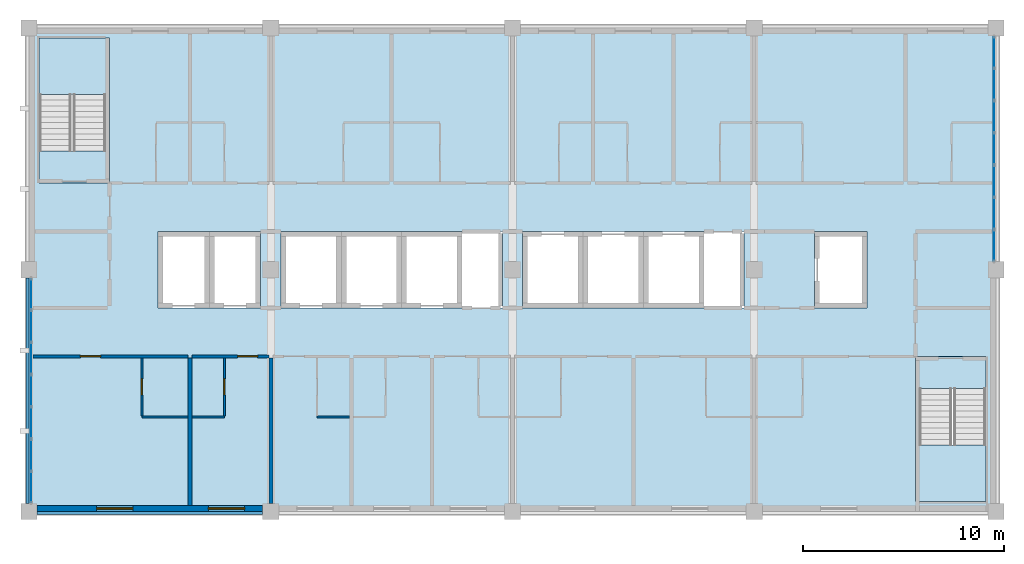
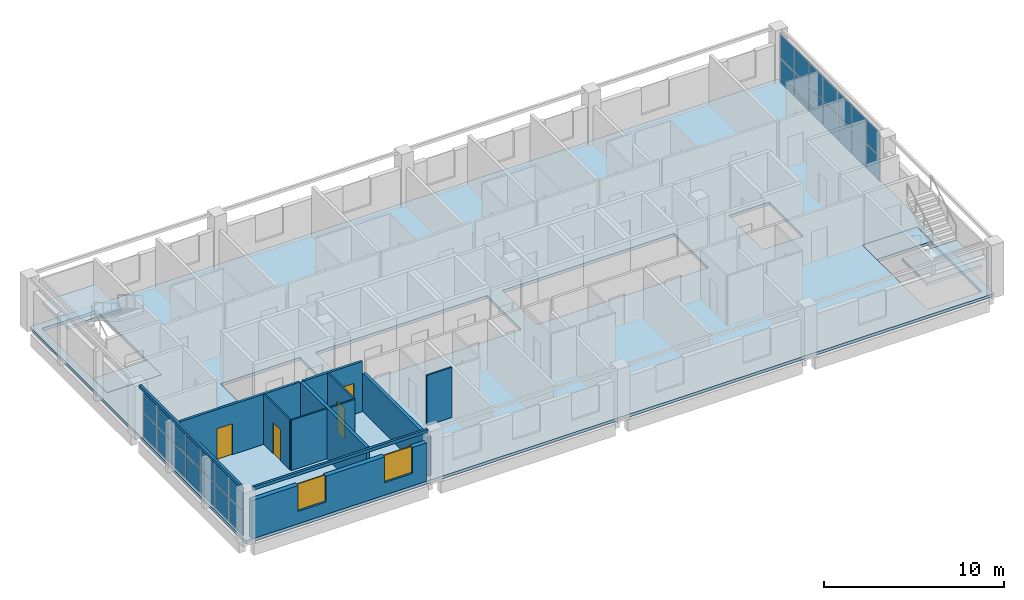
# One storey, part 5 of 11: 28 plates, 12 walls, 5 slabs, 4 doors, 2 windows, 6 openings, 4 elements without a shape of their own.
"""IFC4 building model written with IfcOpenShell, lengths in metres."""

from ifc_helpers import new_model, si_unit, direction, frame, frame_2d, origin, origin_2d, place, context, subcontext, project, spatial, polyline, rectangle, outline, extrude, material, layer, layer_set, type_object, element, fill, aggregate, save


model = new_model("IFC4")

# Units and contexts
model_context = context("Model", 3, precision=1e-05, world=origin(), true_north=direction((0.0, 1.0)))
body_context = subcontext(model_context, "Body", "Model", "MODEL_VIEW")
ifc_project = project(units=[si_unit("LENGTHUNIT", "METRE"), si_unit("AREAUNIT", "SQUARE_METRE"), si_unit("VOLUMEUNIT", "CUBIC_METRE"), si_unit("PLANEANGLEUNIT", "RADIAN"), si_unit("MASSUNIT", "GRAM", prefix="KILO")], contexts=[model_context])

# Site, building, storey
site_placement = place(None, origin())
site = spatial("IfcSite", under=ifc_project, at=site_placement, CompositionType="ELEMENT")
building_placement = place(site_placement, origin())
building = spatial("IfcBuilding", under=site, at=building_placement, Name="Lilac Gate Convention Centre", CompositionType="ELEMENT")
storey_placement = place(building_placement, frame((0.0, 0.0, 46.199951171875)))
storey = spatial("IfcBuildingStorey", under=building, at=storey_placement, Name="L11", CompositionType="ELEMENT", Elevation=46.199951171875)

# Curtain wall, plates
ifc_material_1 = material(Name="Aluminium framed double glazing", Category="aluminium")
ifc_layer_1 = layer(ifc_material_1, 0.199951171875)
ifc_layer_set_1 = layer_set([ifc_layer_1], Name="Aluminium framed double glazing")
curtain_wall_type = type_object("IfcCurtainWallType", Name="Unitised curtain wall 1500", PredefinedType="NOTDEFINED", material=ifc_layer_set_1)
curtain_wall_1_placement = place(storey_placement, origin())
curtain_wall_1 = element("IfcCurtainWall", 1, at=curtain_wall_1_placement, inside=storey, type_object=curtain_wall_type, Name="Curtain wall E L11 2", PredefinedType="NOTDEFINED")
ifc_material_2 = material(Name="Double glazed unit low emissivity")
ifc_layer_2 = layer(ifc_material_2, 0.028076171875)
ifc_layer_set_2 = layer_set([ifc_layer_2], Name="Double glazed unit low emissivity")
plate_type_1 = type_object("IfcPlateType", Name="Curtain wall glass panel 28", PredefinedType="CURTAIN_PANEL", material=ifc_layer_set_2)
plate_1_placement = place(storey_placement, frame((89.89990234375, 235.21484375, 1.72998046875), z_axis=(0.0, 0.0, 1.0), x_axis=(0.0, 1.0, 0.0)))
plate_1 = element("IfcPlate", 2, at=plate_1_placement, type_object=plate_type_1, Name="CW panel 1.2", PredefinedType="CURTAIN_PANEL", context=body_context, shape_type="SweptSolid", body=[
    extrude(rectangle(XDim=1.510009765625, YDim=0.028076171875, at=origin_2d()), origin(), (0.0, 0.0, 1.0), 1.610107421875),
])
plate_2_placement = place(storey_placement, frame((89.89990234375, 236.800048828125, 1.72998046875), z_axis=(0.0, 0.0, 1.0), x_axis=(0.0, 1.0, 0.0)))
plate_2 = element("IfcPlate", 3, at=plate_2_placement, type_object=plate_type_1, Name="CW panel 2.2", PredefinedType="CURTAIN_PANEL", context=body_context, shape_type="SweptSolid", body=[
    extrude(rectangle(XDim=1.5400390625, YDim=0.028076171875, at=origin_2d()), origin(), (0.0, 0.0, 1.0), 1.610107421875),
])
plate_3_placement = place(storey_placement, frame((89.89990234375, 238.39990234375, 1.72998046875), z_axis=(0.0, 0.0, 1.0), x_axis=(0.0, 1.0, 0.0)))
plate_3 = element("IfcPlate", 4, at=plate_3_placement, type_object=plate_type_1, Name="CW panel 3.2", PredefinedType="CURTAIN_PANEL", context=body_context, shape_type="SweptSolid", body=[
    extrude(rectangle(XDim=1.5400390625, YDim=0.028076171875, at=origin_2d()), origin(), (0.0, 0.0, 1.0), 1.610107421875),
])
plate_4_placement = place(storey_placement, frame((89.89990234375, 240.0, 1.72998046875), z_axis=(0.0, 0.0, 1.0), x_axis=(0.0, 1.0, 0.0)))
plate_4 = element("IfcPlate", 5, at=plate_4_placement, type_object=plate_type_1, Name="CW panel 4.2", PredefinedType="CURTAIN_PANEL", context=body_context, shape_type="SweptSolid", body=[
    extrude(rectangle(XDim=1.5400390625, YDim=0.028076171875, at=origin_2d()), origin(), (0.0, 0.0, 1.0), 1.610107421875),
])
plate_5_placement = place(storey_placement, frame((89.89990234375, 241.60009765625, 1.72998046875), z_axis=(0.0, 0.0, 1.0), x_axis=(0.0, 1.0, 0.0)))
plate_5 = element("IfcPlate", 6, at=plate_5_placement, type_object=plate_type_1, Name="CW panel 5.2", PredefinedType="CURTAIN_PANEL", context=body_context, shape_type="SweptSolid", body=[
    extrude(rectangle(XDim=1.5400390625, YDim=0.028076171875, at=origin_2d()), origin(), (0.0, 0.0, 1.0), 1.610107421875),
])
plate_6_placement = place(storey_placement, frame((89.89990234375, 243.199951171875, 1.72998046875), z_axis=(0.0, 0.0, 1.0), x_axis=(0.0, 1.0, 0.0)))
plate_6 = element("IfcPlate", 7, at=plate_6_placement, type_object=plate_type_1, Name="CW panel 6.2", PredefinedType="CURTAIN_PANEL", context=body_context, shape_type="SweptSolid", body=[
    extrude(rectangle(XDim=1.5400390625, YDim=0.028076171875, at=origin_2d()), origin(), (0.0, 0.0, 1.0), 1.610107421875),
])
plate_7_placement = place(storey_placement, frame((89.89990234375, 244.78515625, 1.72998046875), z_axis=(0.0, 0.0, 1.0), x_axis=(0.0, 1.0, 0.0)))
plate_7 = element("IfcPlate", 8, at=plate_7_placement, type_object=plate_type_1, Name="CW panel 7.2", PredefinedType="CURTAIN_PANEL", context=body_context, shape_type="SweptSolid", body=[
    extrude(rectangle(XDim=1.510009765625, YDim=0.028076171875, at=origin_2d()), origin(), (0.0, 0.0, 1.0), 1.610107421875),
])

curtain_wall_2_placement = place(storey_placement, origin())
curtain_wall_2 = element("IfcCurtainWall", 9, at=curtain_wall_2_placement, inside=storey, type_object=curtain_wall_type, Name="Curtain wall W L11 2", PredefinedType="NOTDEFINED")
plate_8_placement = place(storey_placement, frame((42.10009765625, 232.78515625, 1.72998046875), z_axis=(0.0, 0.0, 1.0), x_axis=(0.0, -1.0, 0.0)))
plate_8 = element("IfcPlate", 10, at=plate_8_placement, type_object=plate_type_1, Name="CW panel 1.2", PredefinedType="CURTAIN_PANEL", context=body_context, shape_type="SweptSolid", body=[
    extrude(rectangle(XDim=1.510009765625, YDim=0.028076171875, at=origin_2d()), origin(), (0.0, 0.0, 1.0), 1.610107421875),
])
plate_9_placement = place(storey_placement, frame((42.10009765625, 231.199951171875, 1.72998046875), z_axis=(0.0, 0.0, 1.0), x_axis=(0.0, -1.0, 0.0)))
plate_9 = element("IfcPlate", 11, at=plate_9_placement, type_object=plate_type_1, Name="CW panel 2.2", PredefinedType="CURTAIN_PANEL", context=body_context, shape_type="SweptSolid", body=[
    extrude(rectangle(XDim=1.5400390625, YDim=0.028076171875, at=origin_2d()), origin(), (0.0, 0.0, 1.0), 1.610107421875),
])
plate_10_placement = place(storey_placement, frame((42.10009765625, 229.60009765625, 1.72998046875), z_axis=(0.0, 0.0, 1.0), x_axis=(0.0, -1.0, 0.0)))
plate_10 = element("IfcPlate", 12, at=plate_10_placement, type_object=plate_type_1, Name="CW panel 3.2", PredefinedType="CURTAIN_PANEL", context=body_context, shape_type="SweptSolid", body=[
    extrude(rectangle(XDim=1.5400390625, YDim=0.028076171875, at=origin_2d()), origin(), (0.0, 0.0, 1.0), 1.610107421875),
])
plate_11_placement = place(storey_placement, frame((42.10009765625, 228.0, 1.72998046875), z_axis=(0.0, 0.0, 1.0), x_axis=(0.0, -1.0, 0.0)))
plate_11 = element("IfcPlate", 13, at=plate_11_placement, type_object=plate_type_1, Name="CW panel 4.2", PredefinedType="CURTAIN_PANEL", context=body_context, shape_type="SweptSolid", body=[
    extrude(rectangle(XDim=1.5400390625, YDim=0.028076171875, at=origin_2d()), origin(), (0.0, 0.0, 1.0), 1.610107421875),
])
plate_12_placement = place(storey_placement, frame((42.10009765625, 226.39990234375, 1.72998046875), z_axis=(0.0, 0.0, 1.0), x_axis=(0.0, -1.0, 0.0)))
plate_12 = element("IfcPlate", 14, at=plate_12_placement, type_object=plate_type_1, Name="CW panel 5.2", PredefinedType="CURTAIN_PANEL", context=body_context, shape_type="SweptSolid", body=[
    extrude(rectangle(XDim=1.5400390625, YDim=0.028076171875, at=origin_2d()), origin(), (0.0, 0.0, 1.0), 1.610107421875),
])
plate_13_placement = place(storey_placement, frame((42.10009765625, 224.800048828125, 1.72998046875), z_axis=(0.0, 0.0, 1.0), x_axis=(0.0, -1.0, 0.0)))
plate_13 = element("IfcPlate", 15, at=plate_13_placement, type_object=plate_type_1, Name="CW panel 6.2", PredefinedType="CURTAIN_PANEL", context=body_context, shape_type="SweptSolid", body=[
    extrude(rectangle(XDim=1.5400390625, YDim=0.028076171875, at=origin_2d()), origin(), (0.0, 0.0, 1.0), 1.610107421875),
])
plate_14_placement = place(storey_placement, frame((42.10009765625, 223.21484375, 1.72998046875), z_axis=(0.0, 0.0, 1.0), x_axis=(0.0, -1.0, 0.0)))
plate_14 = element("IfcPlate", 16, at=plate_14_placement, type_object=plate_type_1, Name="CW panel 7.2", PredefinedType="CURTAIN_PANEL", context=body_context, shape_type="SweptSolid", body=[
    extrude(rectangle(XDim=1.510009765625, YDim=0.028076171875, at=origin_2d()), origin(), (0.0, 0.0, 1.0), 1.610107421875),
])

# Plate
ifc_material_3 = material(Name="Insulated aluminium spandrel panel", Category="aluminium")
ifc_layer_3 = layer(ifc_material_3, 0.028076171875)
ifc_layer_set_3 = layer_set([ifc_layer_3], Name="Insulated aluminium spandrel panel")
plate_type_2 = type_object("IfcPlateType", Name="Curtain wall spandrel panel 28", PredefinedType="CURTAIN_PANEL", material=ifc_layer_set_3)
plate_15_placement = place(storey_placement, frame((89.89990234375, 235.21484375, 0.06005859375), z_axis=(0.0, 0.0, 1.0), x_axis=(0.0, 1.0, 0.0)))
plate_15 = element("IfcPlate", 17, at=plate_15_placement, type_object=plate_type_2, Name="CW spandrel 1.1", PredefinedType="CURTAIN_PANEL", context=body_context, shape_type="SweptSolid", body=[
    extrude(rectangle(XDim=1.510009765625, YDim=0.028076171875, at=origin_2d()), origin(), (0.0, 0.0, 1.0), 1.610107421875),
])

plate_16_placement = place(storey_placement, frame((89.89990234375, 236.800048828125, 0.06005859375), z_axis=(0.0, 0.0, 1.0), x_axis=(0.0, 1.0, 0.0)))
plate_16 = element("IfcPlate", 18, at=plate_16_placement, type_object=plate_type_2, Name="CW spandrel 2.1", PredefinedType="CURTAIN_PANEL", context=body_context, shape_type="SweptSolid", body=[
    extrude(rectangle(XDim=1.5400390625, YDim=0.028076171875, at=origin_2d()), origin(), (0.0, 0.0, 1.0), 1.610107421875),
])

plate_17_placement = place(storey_placement, frame((89.89990234375, 238.39990234375, 0.06005859375), z_axis=(0.0, 0.0, 1.0), x_axis=(0.0, 1.0, 0.0)))
plate_17 = element("IfcPlate", 19, at=plate_17_placement, type_object=plate_type_2, Name="CW spandrel 3.1", PredefinedType="CURTAIN_PANEL", context=body_context, shape_type="SweptSolid", body=[
    extrude(rectangle(XDim=1.5400390625, YDim=0.028076171875, at=origin_2d()), origin(), (0.0, 0.0, 1.0), 1.610107421875),
])

plate_18_placement = place(storey_placement, frame((89.89990234375, 240.0, 0.06005859375), z_axis=(0.0, 0.0, 1.0), x_axis=(0.0, 1.0, 0.0)))
plate_18 = element("IfcPlate", 20, at=plate_18_placement, type_object=plate_type_2, Name="CW spandrel 4.1", PredefinedType="CURTAIN_PANEL", context=body_context, shape_type="SweptSolid", body=[
    extrude(rectangle(XDim=1.5400390625, YDim=0.028076171875, at=origin_2d()), origin(), (0.0, 0.0, 1.0), 1.610107421875),
])

plate_19_placement = place(storey_placement, frame((89.89990234375, 241.60009765625, 0.06005859375), z_axis=(0.0, 0.0, 1.0), x_axis=(0.0, 1.0, 0.0)))
plate_19 = element("IfcPlate", 21, at=plate_19_placement, type_object=plate_type_2, Name="CW spandrel 5.1", PredefinedType="CURTAIN_PANEL", context=body_context, shape_type="SweptSolid", body=[
    extrude(rectangle(XDim=1.5400390625, YDim=0.028076171875, at=origin_2d()), origin(), (0.0, 0.0, 1.0), 1.610107421875),
])

plate_20_placement = place(storey_placement, frame((89.89990234375, 243.199951171875, 0.06005859375), z_axis=(0.0, 0.0, 1.0), x_axis=(0.0, 1.0, 0.0)))
plate_20 = element("IfcPlate", 22, at=plate_20_placement, type_object=plate_type_2, Name="CW spandrel 6.1", PredefinedType="CURTAIN_PANEL", context=body_context, shape_type="SweptSolid", body=[
    extrude(rectangle(XDim=1.5400390625, YDim=0.028076171875, at=origin_2d()), origin(), (0.0, 0.0, 1.0), 1.610107421875),
])

plate_21_placement = place(storey_placement, frame((89.89990234375, 244.78515625, 0.06005859375), z_axis=(0.0, 0.0, 1.0), x_axis=(0.0, 1.0, 0.0)))
plate_21 = element("IfcPlate", 23, at=plate_21_placement, type_object=plate_type_2, Name="CW spandrel 7.1", PredefinedType="CURTAIN_PANEL", context=body_context, shape_type="SweptSolid", body=[
    extrude(rectangle(XDim=1.510009765625, YDim=0.028076171875, at=origin_2d()), origin(), (0.0, 0.0, 1.0), 1.610107421875),
])

aggregate(curtain_wall_1, [plate_15, plate_1, plate_16, plate_2, plate_17, plate_3, plate_18, plate_4, plate_19, plate_5, plate_20, plate_6, plate_21, plate_7])

plate_22_placement = place(storey_placement, frame((42.10009765625, 232.78515625, 0.06005859375), z_axis=(0.0, 0.0, 1.0), x_axis=(0.0, -1.0, 0.0)))
plate_22 = element("IfcPlate", 24, at=plate_22_placement, type_object=plate_type_2, Name="CW spandrel 1.1", PredefinedType="CURTAIN_PANEL", context=body_context, shape_type="SweptSolid", body=[
    extrude(rectangle(XDim=1.510009765625, YDim=0.028076171875, at=origin_2d()), origin(), (0.0, 0.0, 1.0), 1.610107421875),
])

plate_23_placement = place(storey_placement, frame((42.10009765625, 231.199951171875, 0.06005859375), z_axis=(0.0, 0.0, 1.0), x_axis=(0.0, -1.0, 0.0)))
plate_23 = element("IfcPlate", 25, at=plate_23_placement, type_object=plate_type_2, Name="CW spandrel 2.1", PredefinedType="CURTAIN_PANEL", context=body_context, shape_type="SweptSolid", body=[
    extrude(rectangle(XDim=1.5400390625, YDim=0.028076171875, at=origin_2d()), origin(), (0.0, 0.0, 1.0), 1.610107421875),
])

plate_24_placement = place(storey_placement, frame((42.10009765625, 229.60009765625, 0.06005859375), z_axis=(0.0, 0.0, 1.0), x_axis=(0.0, -1.0, 0.0)))
plate_24 = element("IfcPlate", 26, at=plate_24_placement, type_object=plate_type_2, Name="CW spandrel 3.1", PredefinedType="CURTAIN_PANEL", context=body_context, shape_type="SweptSolid", body=[
    extrude(rectangle(XDim=1.5400390625, YDim=0.028076171875, at=origin_2d()), origin(), (0.0, 0.0, 1.0), 1.610107421875),
])

plate_25_placement = place(storey_placement, frame((42.10009765625, 228.0, 0.06005859375), z_axis=(0.0, 0.0, 1.0), x_axis=(0.0, -1.0, 0.0)))
plate_25 = element("IfcPlate", 27, at=plate_25_placement, type_object=plate_type_2, Name="CW spandrel 4.1", PredefinedType="CURTAIN_PANEL", context=body_context, shape_type="SweptSolid", body=[
    extrude(rectangle(XDim=1.5400390625, YDim=0.028076171875, at=origin_2d()), origin(), (0.0, 0.0, 1.0), 1.610107421875),
])

plate_26_placement = place(storey_placement, frame((42.10009765625, 226.39990234375, 0.06005859375), z_axis=(0.0, 0.0, 1.0), x_axis=(0.0, -1.0, 0.0)))
plate_26 = element("IfcPlate", 28, at=plate_26_placement, type_object=plate_type_2, Name="CW spandrel 5.1", PredefinedType="CURTAIN_PANEL", context=body_context, shape_type="SweptSolid", body=[
    extrude(rectangle(XDim=1.5400390625, YDim=0.028076171875, at=origin_2d()), origin(), (0.0, 0.0, 1.0), 1.610107421875),
])

plate_27_placement = place(storey_placement, frame((42.10009765625, 224.800048828125, 0.06005859375), z_axis=(0.0, 0.0, 1.0), x_axis=(0.0, -1.0, 0.0)))
plate_27 = element("IfcPlate", 29, at=plate_27_placement, type_object=plate_type_2, Name="CW spandrel 6.1", PredefinedType="CURTAIN_PANEL", context=body_context, shape_type="SweptSolid", body=[
    extrude(rectangle(XDim=1.5400390625, YDim=0.028076171875, at=origin_2d()), origin(), (0.0, 0.0, 1.0), 1.610107421875),
])

plate_28_placement = place(storey_placement, frame((42.10009765625, 223.21484375, 0.06005859375), z_axis=(0.0, 0.0, 1.0), x_axis=(0.0, -1.0, 0.0)))
plate_28 = element("IfcPlate", 30, at=plate_28_placement, type_object=plate_type_2, Name="CW spandrel 7.1", PredefinedType="CURTAIN_PANEL", context=body_context, shape_type="SweptSolid", body=[
    extrude(rectangle(XDim=1.510009765625, YDim=0.028076171875, at=origin_2d()), origin(), (0.0, 0.0, 1.0), 1.610107421875),
])

aggregate(curtain_wall_2, [plate_22, plate_8, plate_23, plate_9, plate_24, plate_10, plate_25, plate_11, plate_26, plate_12, plate_27, plate_13, plate_28, plate_14])

# Stair, slabs
ifc_material_4 = material(Name="Concrete C40", Category="concrete")
stair_type = type_object("IfcStairType", Name="Exit stair", PredefinedType="DOUBLE_RETURN_STAIR", material=ifc_material_4)
stair_1_placement = place(storey_placement, origin())
stair_1 = element("IfcStair", 31, at=stair_1_placement, inside=storey, type_object=stair_type, Name="Exit stair NW L11", PredefinedType="DOUBLE_RETURN_STAIR")
ifc_layer_4 = layer(ifc_material_4, 0.199951171875)
ifc_layer_set_4 = layer_set([ifc_layer_4], Name="Concrete C40")
slab_type_1 = type_object("IfcSlabType", Name="Exit stair landing", PredefinedType="LANDING", material=ifc_layer_set_4)
slab_1_placement = place(storey_placement, frame((0.0, 0.0, -0.199951171875)))
slab_1 = element("IfcSlab", 32, at=slab_1_placement, type_object=slab_type_1, Name="ST-NW landing 1", PredefinedType="LANDING", context=body_context, shape_type="SweptSolid", body=[
    extrude(outline(polyline([(42.5, 238.300048828125), (46.0, 238.300048828125), (46.0, 239.89990234375), (42.5, 239.89990234375), (42.5, 238.300048828125)])), origin(), (0.0, 0.0, 1.0), 0.199951171875),
])
slab_2_placement = place(storey_placement, frame((0.0, 0.0, 1.60009765625)))
slab_2 = element("IfcSlab", 33, at=slab_2_placement, type_object=slab_type_1, Name="ST-NW landing 2", PredefinedType="LANDING", context=body_context, shape_type="SweptSolid", body=[
    extrude(outline(polyline([(42.5, 242.699951171875), (46.0, 242.699951171875), (46.0, 245.5), (42.5, 245.5), (42.5, 242.699951171875)])), origin(), (0.0, 0.0, 1.0), 0.199951171875),
])
aggregate(stair_1, [slab_1, slab_2])

stair_2_placement = place(storey_placement, origin())
stair_2 = element("IfcStair", 34, at=stair_2_placement, inside=storey, type_object=stair_type, Name="Exit stair SE L11", PredefinedType="DOUBLE_RETURN_STAIR")
slab_3_placement = place(storey_placement, frame((0.0, 0.0, -0.199951171875)))
slab_3 = element("IfcSlab", 35, at=slab_3_placement, type_object=slab_type_1, Name="ST-SE landing 1", PredefinedType="LANDING", context=body_context, shape_type="SweptSolid", body=[
    extrude(outline(polyline([(86.0, 228.10009765625), (89.5, 228.10009765625), (89.5, 229.699951171875), (86.0, 229.699951171875), (86.0, 228.10009765625)])), origin(), (0.0, 0.0, 1.0), 0.199951171875),
])
slab_4_placement = place(storey_placement, frame((0.0, 0.0, 1.60009765625)))
slab_4 = element("IfcSlab", 36, at=slab_4_placement, type_object=slab_type_1, Name="ST-SE landing 2", PredefinedType="LANDING", context=body_context, shape_type="SweptSolid", body=[
    extrude(outline(polyline([(86.0, 222.5), (89.5, 222.5), (89.5, 225.300048828125), (86.0, 225.300048828125), (86.0, 222.5)])), origin(), (0.0, 0.0, 1.0), 0.199951171875),
])
aggregate(stair_2, [slab_3, slab_4])

# Slab
ifc_layer_5 = layer(ifc_material_4, 0.199951171875)
ifc_layer_set_5 = layer_set([ifc_layer_5], Name="Concrete C40")
slab_type_2 = type_object("IfcSlabType", Name="Floor slab 200 C40", PredefinedType="FLOOR", material=ifc_layer_set_5)
slab_5_placement = place(storey_placement, frame((0.0, 0.0, -0.199951171875)))
element("IfcSlab", 37, at=slab_5_placement, inside=storey, type_object=slab_type_2, Name="FS3 slab L11 1", PredefinedType="FLOOR", context=body_context, shape_type="SweptSolid", body=[
    extrude(outline(polyline([(42.0, 222.0), (42.0, 246.0), (90.0, 246.0), (90.0, 222.0), (42.0, 222.0)]), holes=[polyline([(48.39990234375, 235.89990234375), (48.39990234375, 232.10009765625), (50.949951171875, 232.10009765625), (53.5, 232.10009765625), (53.5, 235.89990234375), (50.949951171875, 235.89990234375), (48.39990234375, 235.89990234375)]), polyline([(57.5, 235.89990234375), (54.5, 235.89990234375), (54.5, 232.10009765625), (57.5, 232.10009765625), (60.5, 232.10009765625), (63.5, 232.10009765625), (65.5, 232.10009765625), (65.5, 235.89990234375), (63.5, 235.89990234375), (60.5, 235.89990234375), (57.5, 235.89990234375)]), polyline([(42.5, 245.5), (42.5, 238.300048828125), (46.0, 238.300048828125), (46.0, 245.5), (42.5, 245.5)]), polyline([(89.5, 229.699951171875), (86.0, 229.699951171875), (86.0, 222.5), (89.5, 222.5), (89.5, 229.699951171875)]), polyline([(69.5, 235.89990234375), (66.5, 235.89990234375), (66.5, 232.10009765625), (69.5, 232.10009765625), (72.5, 232.10009765625), (75.5, 232.10009765625), (77.5, 232.10009765625), (77.5, 235.89990234375), (75.5, 235.89990234375), (72.5, 235.89990234375), (69.5, 235.89990234375)]), polyline([(83.60009765625, 235.89990234375), (81.0, 235.89990234375), (81.0, 232.10009765625), (83.60009765625, 232.10009765625), (83.60009765625, 235.89990234375)])]), origin(), (0.0, 0.0, 1.0), 0.199951171875),
])

# Wall, opening, door
ifc_material_5 = material(Name="Gypsum board on steel stud", Category="steel")
ifc_layer_6 = layer(ifc_material_5, 0.14990234375)
ifc_layer_set_6 = layer_set([ifc_layer_6], Name="Gypsum board on steel stud")
wall_type_1 = type_object("IfcWallType", Name="Corridor wall 150", PredefinedType="PARTITIONING", material=ifc_layer_set_6)
wall_1_placement = place(storey_placement, frame((49.89990234375, 229.699951171875, 0.0), z_axis=(0.0, 0.0, 1.0), x_axis=(-1.0, 0.0, 0.0)))
wall_1 = element("IfcWall", 38, at=wall_1_placement, inside=storey, type_object=wall_type_1, Name="Corridor wall 150 front 1101", PredefinedType="PARTITIONING", context=body_context, shape_type="SweptSolid", body=[
    extrude(rectangle(XDim=7.69970703125, YDim=0.14990234375, at=frame_2d((3.849853515625, 0.0))), origin(), (0.0, 0.0, 1.0), 3.400146484375),
])
opening_1_placement = place(wall_1_placement, frame((4.35009765625, 0.0, 0.0)))
opening_1 = element("IfcOpeningElement", 39, at=opening_1_placement, cuts=wall_1, Name="Opening T10-008", PredefinedType="OPENING", context=body_context, shape_type="SweptSolid", body=[
    extrude(rectangle(XDim=1.0, YDim=2.10009765625, at=frame_2d((0.5, 1.050048828125))), frame((0.0, 0.0849609375, 0.0), z_axis=(0.0, -1.0, 0.0), x_axis=(1.0, 0.0, 0.0)), (0.0, 0.0, 1.0), 0.169921875),
])
ifc_material_6 = material(Name="Timber", Category="wood")
door_type_1 = type_object("IfcDoorType", Name="Guest room entrance door 1000", OperationType="SINGLE_SWING_LEFT", PredefinedType="DOOR", material=ifc_material_6)
door_1_placement = place(opening_1_placement, origin())
door_1 = element("IfcDoor", 40, at=door_1_placement, inside=storey, type_object=door_type_1, Name="Guest room door 1101", OperationType="SINGLE_SWING_LEFT", OverallHeight=2.10009765625, OverallWidth=1.0, PredefinedType="DOOR", context=body_context, shape_type="SweptSolid", body=[
    extrude(rectangle(XDim=1.0, YDim=2.10009765625, at=frame_2d((0.5, 1.050048828125))), frame((0.0, 0.02490234375, 0.0), z_axis=(0.0, -1.0, 0.0), x_axis=(1.0, 0.0, 0.0)), (0.0, 0.0, 1.0), 0.050048828125),
])
fill(opening_1, door_1)

wall_2_placement = place(storey_placement, frame((53.89990234375, 229.699951171875, 0.0), z_axis=(0.0, 0.0, 1.0), x_axis=(-1.0, 0.0, 0.0)))
wall_2 = element("IfcWall", 41, at=wall_2_placement, inside=storey, type_object=wall_type_1, Name="Corridor wall 150 front 1102", PredefinedType="PARTITIONING", context=body_context, shape_type="SweptSolid", body=[
    extrude(rectangle(XDim=3.7998046875, YDim=0.14990234375, at=frame_2d((1.89990234375, 0.0))), origin(), (0.0, 0.0, 1.0), 3.400146484375),
])
opening_2_placement = place(wall_2_placement, frame((0.550048828125, 0.0, 0.0)))
opening_2 = element("IfcOpeningElement", 42, at=opening_2_placement, cuts=wall_2, Name="Opening T10-010", PredefinedType="OPENING", context=body_context, shape_type="SweptSolid", body=[
    extrude(rectangle(XDim=1.0, YDim=2.10009765625, at=frame_2d((0.5, 1.050048828125))), frame((0.0, 0.0849609375, 0.0), z_axis=(0.0, -1.0, 0.0), x_axis=(1.0, 0.0, 0.0)), (0.0, 0.0, 1.0), 0.169921875),
])
door_2_placement = place(opening_2_placement, origin())
door_2 = element("IfcDoor", 43, at=door_2_placement, inside=storey, type_object=door_type_1, Name="Guest room door 1102", OperationType="SINGLE_SWING_LEFT", OverallHeight=2.10009765625, OverallWidth=1.0, PredefinedType="DOOR", context=body_context, shape_type="SweptSolid", body=[
    extrude(rectangle(XDim=1.0, YDim=2.10009765625, at=frame_2d((0.5, 1.050048828125))), frame((0.0, 0.02490234375, 0.0), z_axis=(0.0, -1.0, 0.0), x_axis=(1.0, 0.0, 0.0)), (0.0, 0.0, 1.0), 0.050048828125),
])
fill(opening_2, door_2)

# Wall
ifc_layer_7 = layer(ifc_material_5, 0.10009765625)
ifc_layer_set_7 = layer_set([ifc_layer_7], Name="Gypsum board on steel stud")
wall_type_2 = type_object("IfcWallType", Name="En-suite wall 100", PredefinedType="PARTITIONING", material=ifc_layer_set_7)
wall_3_placement = place(storey_placement, frame((47.60009765625, 226.699951171875, 0.0), z_axis=(0.0, 0.0, 1.0), x_axis=(1.0, 0.0, 0.0)))
element("IfcWall", 44, at=wall_3_placement, inside=storey, type_object=wall_type_2, Name="En-suite wall 100 bath 1101", PredefinedType="PARTITIONING", context=body_context, shape_type="SweptSolid", body=[
    extrude(rectangle(XDim=2.2998046875, YDim=0.10009765625, at=frame_2d((1.14990234375, 0.0))), origin(), (0.0, 0.0, 1.0), 3.400146484375),
])

# Wall, opening, door
wall_4_placement = place(storey_placement, frame((47.60009765625, 226.75, 0.0), z_axis=(0.0, 0.0, 1.0), x_axis=(0.0, 1.0, 0.0)))
wall_4 = element("IfcWall", 45, at=wall_4_placement, inside=storey, type_object=wall_type_2, Name="En-suite wall 100 bath side 1101", PredefinedType="PARTITIONING", context=body_context, shape_type="SweptSolid", body=[
    extrude(rectangle(XDim=2.875, YDim=0.10009765625, at=frame_2d((1.4375, 0.0))), origin(), (0.0, 0.0, 1.0), 3.400146484375),
])
opening_3_placement = place(wall_4_placement, frame((1.03759765625, 0.0, 0.0)))
opening_3 = element("IfcOpeningElement", 46, at=opening_3_placement, cuts=wall_4, Name="Opening T10-009", PredefinedType="OPENING", context=body_context, shape_type="SweptSolid", body=[
    extrude(rectangle(XDim=0.800048828125, YDim=2.10009765625, at=frame_2d((0.39990234375, 1.050048828125))), frame((0.0, 0.06005859375, 0.0), z_axis=(0.0, -1.0, 0.0), x_axis=(1.0, 0.0, 0.0)), (0.0, 0.0, 1.0), 0.1201171875),
])
door_type_2 = type_object("IfcDoorType", Name="En-suite door 800", OperationType="SINGLE_SWING_LEFT", PredefinedType="DOOR", material=ifc_material_6)
door_3_placement = place(opening_3_placement, origin())
door_3 = element("IfcDoor", 47, at=door_3_placement, inside=storey, type_object=door_type_2, Name="En-suite door 1101", OperationType="SINGLE_SWING_RIGHT", OverallHeight=2.10009765625, OverallWidth=0.800048828125, PredefinedType="DOOR", context=body_context, shape_type="SweptSolid", body=[
    extrude(rectangle(XDim=0.800048828125, YDim=2.10009765625, at=frame_2d((0.39990234375, 1.050048828125))), frame((0.0, 0.02490234375, 0.0), z_axis=(0.0, -1.0, 0.0), x_axis=(1.0, 0.0, 0.0)), (0.0, 0.0, 1.0), 0.050048828125),
])
fill(opening_3, door_3)

# Wall
wall_5_placement = place(storey_placement, frame((50.10009765625, 226.699951171875, 0.0), z_axis=(0.0, 0.0, 1.0), x_axis=(1.0, 0.0, 0.0)))
element("IfcWall", 48, at=wall_5_placement, inside=storey, type_object=wall_type_2, Name="En-suite wall 100 bath 1102", PredefinedType="PARTITIONING", context=body_context, shape_type="SweptSolid", body=[
    extrude(rectangle(XDim=1.599853515625, YDim=0.10009765625, at=frame_2d((0.7998046875, 0.0))), origin(), (0.0, 0.0, 1.0), 3.400146484375),
])

# Wall, opening, door
wall_6_placement = place(storey_placement, frame((51.699951171875, 229.625, 0.0), z_axis=(0.0, 0.0, 1.0), x_axis=(0.0, -1.0, 0.0)))
wall_6 = element("IfcWall", 49, at=wall_6_placement, inside=storey, type_object=wall_type_2, Name="En-suite wall 100 bath side 1102", PredefinedType="PARTITIONING", context=body_context, shape_type="SweptSolid", body=[
    extrude(rectangle(XDim=2.875, YDim=0.10009765625, at=frame_2d((1.4375, 0.0))), origin(), (0.0, 0.0, 1.0), 3.400146484375),
])
opening_4_placement = place(wall_6_placement, frame((1.03759765625, 0.0, 0.0)))
opening_4 = element("IfcOpeningElement", 50, at=opening_4_placement, cuts=wall_6, Name="Opening T10-011", PredefinedType="OPENING", context=body_context, shape_type="SweptSolid", body=[
    extrude(rectangle(XDim=0.800048828125, YDim=2.10009765625, at=frame_2d((0.39990234375, 1.050048828125))), frame((0.0, 0.06005859375, 0.0), z_axis=(0.0, -1.0, 0.0), x_axis=(1.0, 0.0, 0.0)), (0.0, 0.0, 1.0), 0.1201171875),
])
door_4_placement = place(opening_4_placement, origin())
door_4 = element("IfcDoor", 51, at=door_4_placement, inside=storey, type_object=door_type_2, Name="En-suite door 1102", OperationType="SINGLE_SWING_LEFT", OverallHeight=2.10009765625, OverallWidth=0.800048828125, PredefinedType="DOOR", context=body_context, shape_type="SweptSolid", body=[
    extrude(rectangle(XDim=0.800048828125, YDim=2.10009765625, at=frame_2d((0.39990234375, 1.050048828125))), frame((0.0, 0.02490234375, 0.0), z_axis=(0.0, -1.0, 0.0), x_axis=(1.0, 0.0, 0.0)), (0.0, 0.0, 1.0), 0.050048828125),
])
fill(opening_4, door_4)

# Walls
wall_7_placement = place(storey_placement, frame((56.300048828125, 226.699951171875, 0.0), z_axis=(0.0, 0.0, 1.0), x_axis=(1.0, 0.0, 0.0)))
element("IfcWall", 52, at=wall_7_placement, inside=storey, type_object=wall_type_2, Name="En-suite wall 100 bath 1103", PredefinedType="PARTITIONING", context=body_context, shape_type="SweptSolid", body=[
    extrude(rectangle(XDim=1.599853515625, YDim=0.10009765625, at=frame_2d((0.7998046875, 0.0))), origin(), (0.0, 0.0, 1.0), 3.400146484375),
])
ifc_layer_8 = layer(ifc_material_5, 0.199951171875)
ifc_layer_set_8 = layer_set([ifc_layer_8], Name="Gypsum board on steel stud")
wall_type_3 = type_object("IfcWallType", Name="Guest room party wall 200", PredefinedType="PARTITIONING", material=ifc_layer_set_8)
wall_8_placement = place(storey_placement, frame((50.0, 222.2998046875, 0.0), z_axis=(0.0, 0.0, 1.0), x_axis=(0.0, 1.0, 0.0)))
element("IfcWall", 53, at=wall_8_placement, inside=storey, type_object=wall_type_3, Name="Guest room party wall 200 party 50.0", PredefinedType="PARTITIONING", context=body_context, shape_type="SweptSolid", body=[
    extrude(rectangle(XDim=7.3251953125, YDim=0.199951171875, at=frame_2d((3.66259765625, 0.0))), origin(), (0.0, 0.0, 1.0), 3.400146484375),
])
wall_9_placement = place(storey_placement, frame((54.0, 222.39990234375, 0.0), z_axis=(0.0, 0.0, 1.0), x_axis=(0.0, 1.0, 0.0)))
element("IfcWall", 54, at=wall_9_placement, inside=storey, type_object=wall_type_3, Name="Guest room party wall 200 party 54.0", PredefinedType="PARTITIONING", context=body_context, shape_type="SweptSolid", body=[
    extrude(rectangle(XDim=7.22509765625, YDim=0.199951171875, at=frame_2d((3.612548828125, 0.0))), origin(), (0.0, 0.0, 1.0), 2.60009765625),
])
ifc_material_7 = material(Name="Concrete C40 precast", Category="concrete")
ifc_layer_9 = layer(ifc_material_7, 0.1298828125)
ifc_material_8 = material(Name="Teal glazed cladding")
ifc_layer_10 = layer(ifc_material_8, 0.02001953125)
ifc_layer_set_9 = layer_set([ifc_layer_9, ifc_layer_10], Name="Concrete C40 precast, Teal glazed cladding")
wall_type_4 = type_object("IfcWallType", Name="Precast band teal 150", PredefinedType="STANDARD", material=ifc_layer_set_9)
for number, where, z_axis, x_axis, name in (
    (55, (42.39990234375, 221.925048828125, 3.400146484375), (0.0, 0.0, 1.0), (1.0, 0.0, 0.0), "Precast band S L11 1"),
    (56, (41.925048828125, 233.60009765625, 3.400146484375), (0.0, 0.0, 1.0), (0.0, -1.0, 0.0), "Precast band W L11 2"),
):
    element("IfcWall", number, at=place(storey_placement, frame(where, z_axis=z_axis, x_axis=x_axis)), inside=storey, type_object=wall_type_4, Name=name, PredefinedType="STANDARD", context=body_context, shape_type="SweptSolid", body=[
        extrude(rectangle(XDim=11.2001953125, YDim=0.14990234375, at=frame_2d((5.60009765625, 0.0))), origin(), (0.0, 0.0, 1.0), 0.199951171875),
    ])

# Wall, openings, windows
ifc_material_9 = material(Name="Ochre mineral render")
ifc_layer_11 = layer(ifc_material_9, 0.02001953125)
ifc_layer_12 = layer(ifc_material_7, 0.06005859375)
ifc_material_10 = material(Name="Ventilated air cavity")
ifc_layer_13 = layer(ifc_material_10, 0.030029296875)
ifc_material_11 = material(Name="Mineral wool insulation")
ifc_layer_14 = layer(ifc_material_11, 0.1201171875)
ifc_material_12 = material(Name="Steel stud Q345 and gypsum lining", Category="steel")
ifc_layer_15 = layer(ifc_material_12, 0.070068359375)
ifc_layer_set_10 = layer_set([ifc_layer_11, ifc_layer_12, ifc_layer_13, ifc_layer_14, ifc_layer_15], Name="Ochre mineral render, Concrete C40 precast, Ventilated air cavity, Mineral wool insulation, Steel stud Q345 and gypsum lining")
wall_type_5 = type_object("IfcWallType", Name="Precast panel wall ochre 300", PredefinedType="STANDARD", material=ifc_layer_set_10)
wall_10_placement = place(storey_placement, frame((42.39990234375, 222.14990234375, 0.0), z_axis=(0.0, 0.0, 1.0), x_axis=(1.0, 0.0, 0.0)))
wall_10 = element("IfcWall", 57, at=wall_10_placement, inside=storey, type_object=wall_type_5, Name="External wall S L11 1", PredefinedType="STANDARD", context=body_context, shape_type="SweptSolid", body=[
    extrude(rectangle(XDim=11.2001953125, YDim=0.300048828125, at=frame_2d((5.60009765625, 0.0))), origin(), (0.0, 0.0, 1.0), 2.60009765625),
])
opening_5_placement = place(wall_10_placement, frame((2.949951171875, 0.0, 0.85009765625)))
opening_5 = element("IfcOpeningElement", 58, at=opening_5_placement, cuts=wall_10, Name="Opening W1", PredefinedType="OPENING", context=body_context, shape_type="SweptSolid", body=[
    extrude(rectangle(XDim=1.800048828125, YDim=1.75, at=frame_2d((0.89990234375, 0.875))), frame((0.0, 0.159912109375, 0.0), z_axis=(0.0, -1.0, 0.0), x_axis=(1.0, 0.0, 0.0)), (0.0, 0.0, 1.0), 0.320068359375),
])
opening_6_placement = place(wall_10_placement, frame((8.5, 0.0, 0.85009765625)))
opening_6 = element("IfcOpeningElement", 59, at=opening_6_placement, cuts=wall_10, Name="Opening W1", PredefinedType="OPENING", context=body_context, shape_type="SweptSolid", body=[
    extrude(rectangle(XDim=1.800048828125, YDim=1.75, at=frame_2d((0.89990234375, 0.875))), frame((0.0, 0.159912109375, 0.0), z_axis=(0.0, -1.0, 0.0), x_axis=(1.0, 0.0, 0.0)), (0.0, 0.0, 1.0), 0.320068359375),
])
window_type = type_object("IfcWindowType", Name="Guest room window 1800 x 1750", PartitioningType="DOUBLE_PANEL_VERTICAL", PredefinedType="WINDOW", material=ifc_material_1)
window_1_placement = place(opening_5_placement, origin())
window_1 = element("IfcWindow", 60, at=window_1_placement, inside=storey, type_object=window_type, Name="Window Guest S L11", OverallHeight=1.75, OverallWidth=1.800048828125, PartitioningType="SINGLE_PANEL", PredefinedType="WINDOW", context=body_context, shape_type="SweptSolid", body=[
    extrude(rectangle(XDim=1.800048828125, YDim=1.75, at=frame_2d((0.89990234375, 0.875))), frame((0.0, 0.030029296875, 0.0), z_axis=(0.0, -1.0, 0.0), x_axis=(1.0, 0.0, 0.0)), (0.0, 0.0, 1.0), 0.06005859375),
])
fill(opening_5, window_1)
window_2_placement = place(opening_6_placement, origin())
window_2 = element("IfcWindow", 61, at=window_2_placement, inside=storey, type_object=window_type, Name="Window Guest S L11", OverallHeight=1.75, OverallWidth=1.800048828125, PartitioningType="SINGLE_PANEL", PredefinedType="WINDOW", context=body_context, shape_type="SweptSolid", body=[
    extrude(rectangle(XDim=1.800048828125, YDim=1.75, at=frame_2d((0.89990234375, 0.875))), frame((0.0, 0.030029296875, 0.0), z_axis=(0.0, -1.0, 0.0), x_axis=(1.0, 0.0, 0.0)), (0.0, 0.0, 1.0), 0.06005859375),
])
fill(opening_6, window_2)

save(model, "model.ifc")
